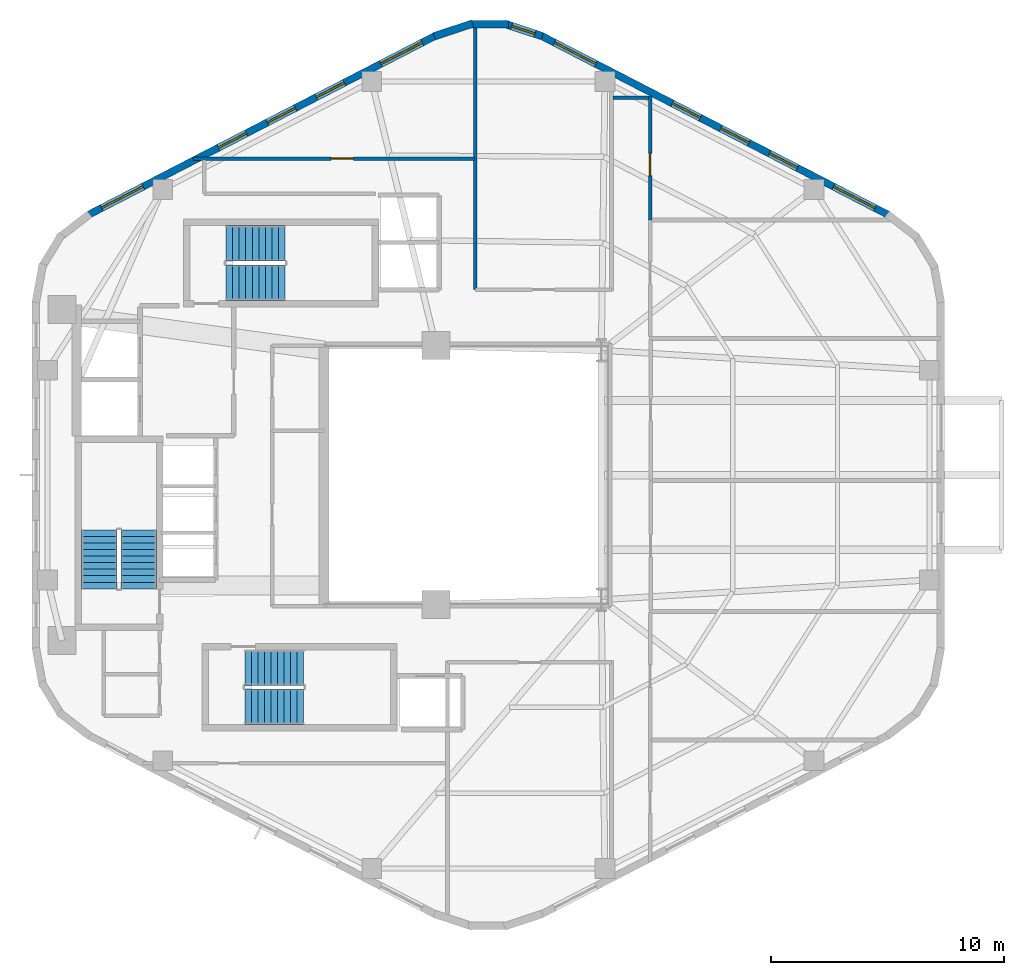
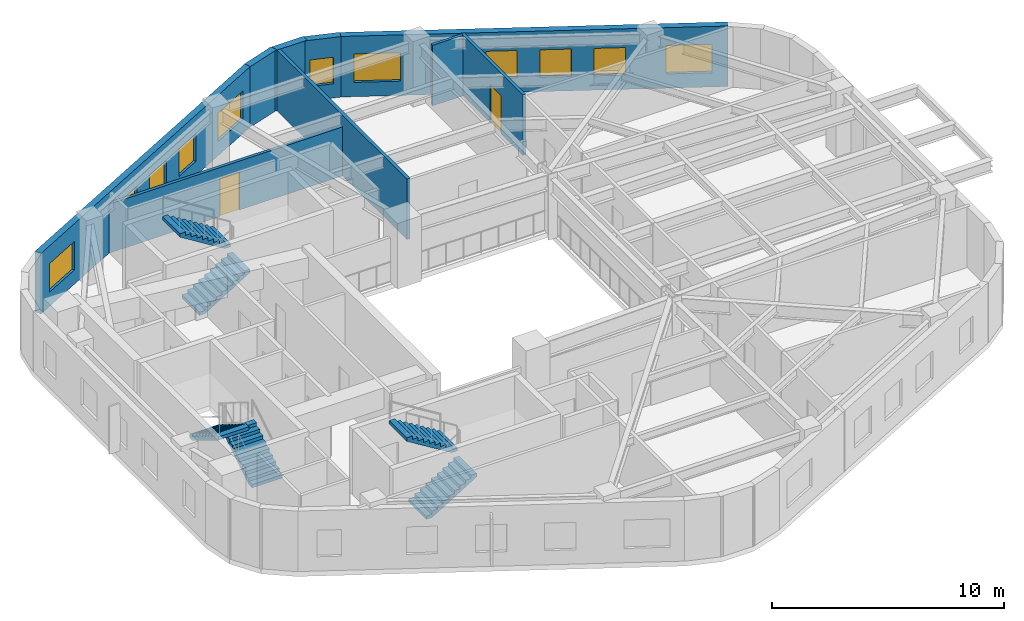
# One storey, part 5 of 6: 11 windows, 9 walls, 6 stair flights, 2 doors, 13 openings, 3 elements without a shape of their own.
"""IFC4 building model written with IfcOpenShell, lengths in metres."""

from ifc_helpers import new_model, si_unit, direction, frame, frame_2d, origin, place, context, subcontext, project, spatial, polyline, rectangle, outline, extrude, material, layer, layer_set, type_object, element, fill, aggregate, save


model = new_model("IFC4")

# Units and contexts
model_context = context("Model", 3, precision=1e-05, world=origin(), true_north=direction((0.0, 1.0)))
body_context = subcontext(model_context, "Body", "Model", "MODEL_VIEW")
ifc_project = project(units=[si_unit("LENGTHUNIT", "METRE"), si_unit("AREAUNIT", "SQUARE_METRE"), si_unit("VOLUMEUNIT", "CUBIC_METRE"), si_unit("PLANEANGLEUNIT", "RADIAN"), si_unit("MASSUNIT", "GRAM", prefix="KILO"), si_unit("THERMODYNAMICTEMPERATUREUNIT", "KELVIN"), si_unit("POWERUNIT", "WATT")], contexts=[model_context])

# Site, building, storey
site_placement = place(None, origin())
site = spatial("IfcSite", under=ifc_project, at=site_placement, CompositionType="ELEMENT")
building_placement = place(site_placement, origin())
building = spatial("IfcBuilding", under=site, at=building_placement, Name="Skarre Station Tower", CompositionType="ELEMENT")
storey_placement = place(building_placement, frame((0.0, 0.0, 210.25)))
storey = spatial("IfcBuildingStorey", under=building, at=storey_placement, Name="L57", CompositionType="ELEMENT", Elevation=210.25)

# Wall, opening, door
ifc_material_1 = material(Name="Acoustic Steel-Stud Gypsum Partition", Category="steel")
ifc_layer_1 = layer(ifc_material_1, 0.14990234375, Name="Acoustic Steel-Stud Gypsum Partition")
ifc_layer_set_1 = layer_set([ifc_layer_1], Name="Acoustic Steel-Stud Gypsum Partition")
wall_type_1 = type_object("IfcWallType", Name="Fire-Rated Corridor Acoustic Partition 150", PredefinedType="PARTITIONING", material=ifc_layer_set_1)
wall_1_placement = place(storey_placement, frame((34.0, 37.580078125, 0.0), z_axis=(0.0, 0.0, 1.0), x_axis=(-1.0, 0.0, 0.0)))
wall_1 = element("IfcWall", 1, at=wall_1_placement, inside=storey, type_object=wall_type_1, Name="L57 Interior Partition WL-PT-L57-NWW1-CW", PredefinedType="PARTITIONING", context=body_context, shape_type="SweptSolid", body=[
    extrude(rectangle(XDim=12.074951171875, YDim=0.14990234375, at=frame_2d((6.03759765625, 0.0))), origin(), (0.0, 0.0, 1.0), 2.58203125),
])
opening_1_placement = place(wall_1_placement, frame((5.195068359375, 0.0, 0.0)))
opening_1 = element("IfcOpeningElement", 2, at=opening_1_placement, cuts=wall_1, Name="Opening DR-FD60", PredefinedType="OPENING", context=body_context, shape_type="SweptSolid", body=[
    extrude(rectangle(XDim=0.9599609375, YDim=2.0, at=frame_2d((0.47998046875, 1.0))), frame((0.0, 0.0849609375, 0.0), z_axis=(0.0, -1.0, 0.0), x_axis=(1.0, 0.0, 0.0)), (0.0, 0.0, 1.0), 0.169921875),
])
ifc_material_2 = material(Name="Nordic White-Oak Veneer Solid-Core Fire Leaf", Category="wood")
door_type = type_object("IfcDoorType", Name="Corridor Suite Entry Fire Door FD60 960x2150", OperationType="SINGLE_SWING_LEFT", PredefinedType="DOOR", material=ifc_material_2)
door_1_placement = place(opening_1_placement, origin())
door_1 = element("IfcDoor", 3, at=door_1_placement, inside=storey, type_object=door_type, Name="L57 NWW1 Entry Door", OperationType="SINGLE_SWING_LEFT", OverallHeight=2.0, OverallWidth=0.9599609375, PredefinedType="DOOR", context=body_context, shape_type="SweptSolid", body=[
    extrude(rectangle(XDim=0.9599609375, YDim=2.0, at=frame_2d((0.47998046875, 1.0))), frame((0.0, 0.02490234375, 0.0), z_axis=(0.0, -1.0, 0.0), x_axis=(1.0, 0.0, 0.0)), (0.0, 0.0, 1.0), 0.050048828125),
])
fill(opening_1, door_1)

wall_2_placement = place(storey_placement, frame((41.5400390625, 40.27490234375, 0.0), z_axis=(0.0, 0.0, 1.0), x_axis=(0.0, -1.0, 0.0)))
wall_2 = element("IfcWall", 4, at=wall_2_placement, inside=storey, type_object=wall_type_1, Name="L57 Interior Partition WL-PT-L57-NW2-CW", PredefinedType="PARTITIONING", context=body_context, shape_type="SweptSolid", body=[
    extrude(rectangle(XDim=5.326904296875, YDim=0.14990234375, at=frame_2d((2.66357421875, 0.0))), origin(), (0.0, 0.0, 1.0), 3.18994140625),
])
opening_2_placement = place(wall_2_placement, frame((2.466064453125, 0.0, 0.0)))
opening_2 = element("IfcOpeningElement", 5, at=opening_2_placement, cuts=wall_2, Name="Opening DR-FD60", PredefinedType="OPENING", context=body_context, shape_type="SweptSolid", body=[
    extrude(rectangle(XDim=0.9599609375, YDim=2.0, at=frame_2d((0.47998046875, 1.0))), frame((0.0, 0.0849609375, 0.0), z_axis=(0.0, -1.0, 0.0), x_axis=(1.0, 0.0, 0.0)), (0.0, 0.0, 1.0), 0.169921875),
])
door_2_placement = place(opening_2_placement, origin())
door_2 = element("IfcDoor", 6, at=door_2_placement, inside=storey, type_object=door_type, Name="L57 NW2 Entry Door", OperationType="SINGLE_SWING_LEFT", OverallHeight=2.0, OverallWidth=0.9599609375, PredefinedType="DOOR", context=body_context, shape_type="SweptSolid", body=[
    extrude(rectangle(XDim=0.9599609375, YDim=2.0, at=frame_2d((0.47998046875, 1.0))), frame((0.0, 0.02490234375, 0.0), z_axis=(0.0, -1.0, 0.0), x_axis=(1.0, 0.0, 0.0)), (0.0, 0.0, 1.0), 0.050048828125),
])
fill(opening_2, door_2)

# Walls
wall_3_placement = place(storey_placement, frame((39.9580078125, 40.199951171875, 0.0), z_axis=(0.0, 0.0, 1.0), x_axis=(1.0, 0.0, 0.0)))
element("IfcWall", 7, at=wall_3_placement, inside=storey, type_object=wall_type_1, Name="L57 Interior Partition WL-PT-L57-CSEAL-3", PredefinedType="PARTITIONING", context=body_context, shape_type="SweptSolid", body=[
    extrude(rectangle(XDim=1.511962890625, YDim=0.14990234375, at=frame_2d((0.755859375, 0.0))), origin(), (0.0, 0.0, 1.0), 3.18994140625),
])
ifc_material_3 = material(Name="Precast concrete C45/55", Category="concrete")
ifc_layer_2 = layer(ifc_material_3, 0.330078125, Name="Precast concrete C45/55")
ifc_layer_set_2 = layer_set([ifc_layer_2], Name="Precast concrete C45/55")
wall_type_2 = type_object("IfcWallType", Name="Nordic Rounded Corner Precast Wall 330", PredefinedType="STANDARD", material=ifc_layer_set_2)
wall_4_placement = place(storey_placement, frame((32.281005859375, 42.83203125, 0.0), z_axis=(0.0, 0.0, 1.0), x_axis=(0.949937416267, 0.312440242569, 0.0)))
element("IfcWall", 8, at=wall_4_placement, inside=storey, type_object=wall_type_2, Name="L57 Rounded Corner Precast Wall F1-1", PredefinedType="STANDARD", context=body_context, shape_type="SweptSolid", body=[
    extrude(rectangle(XDim=1.72216796875, YDim=0.330078125, at=frame_2d((0.861083984375, 0.0))), origin(), (0.0, 0.0, 1.0), 3.18994140625),
])
wall_5_placement = place(storey_placement, frame((33.739013671875, 43.341064453125, 0.0), z_axis=(0.0, 0.0, 1.0), x_axis=(1.0, 0.0, 0.0)))
element("IfcWall", 9, at=wall_5_placement, inside=storey, type_object=wall_type_2, Name="L57 Rounded Corner Precast Wall F1-2", PredefinedType="STANDARD", context=body_context, shape_type="SweptSolid", body=[
    extrude(rectangle(XDim=1.721923828125, YDim=0.330078125, at=frame_2d((0.86083984375, 0.0))), origin(), (0.0, 0.0, 1.0), 3.18994140625),
])

# Wall, opening, window
wall_6_placement = place(storey_placement, frame((35.282958984375, 43.3701171875, 0.0), z_axis=(0.0, 0.0, 1.0), x_axis=(0.949937416267, -0.312440242569, 0.0)))
wall_6 = element("IfcWall", 10, at=wall_6_placement, inside=storey, type_object=wall_type_2, Name="L57 Rounded Corner Precast Wall F1-3", PredefinedType="STANDARD", context=body_context, shape_type="SweptSolid", body=[
    extrude(rectangle(XDim=1.72216796875, YDim=0.330078125, at=frame_2d((0.861083984375, 0.0))), origin(), (0.0, 0.0, 1.0), 3.18994140625),
])
opening_3_placement = place(wall_6_placement, frame((0.3359375, 0.0, 0.75)))
opening_3 = element("IfcOpeningElement", 11, at=opening_3_placement, cuts=wall_6, Name="Opening WN-SLT", PredefinedType="OPENING", context=body_context, shape_type="SweptSolid", body=[
    extrude(rectangle(XDim=1.050048828125, YDim=1.39990234375, at=frame_2d((0.52490234375, 0.699951171875))), frame((0.0, 0.175048828125, 0.0), z_axis=(0.0, -1.0, 0.0), x_axis=(1.0, 0.0, 0.0)), (0.0, 0.0, 1.0), 0.35009765625),
])
ifc_material_4 = material(Name="Low-Iron Triple Glazing with Bronze Anodized Frame", Category="glass")
window_type_1 = type_object("IfcWindowType", Name="Nordic Corner Slot Window 1050x1400", PartitioningType="SINGLE_PANEL", PredefinedType="WINDOW", material=ifc_material_4)
window_1_placement = place(opening_3_placement, origin())
window_1 = element("IfcWindow", 12, at=window_1_placement, inside=storey, type_object=window_type_1, Name="L57 Apex Corner Slot Window F1-3", OverallHeight=1.39990234375, OverallWidth=1.050048828125, PartitioningType="SINGLE_PANEL", PredefinedType="WINDOW", context=body_context, shape_type="SweptSolid", body=[
    extrude(rectangle(XDim=1.050048828125, YDim=1.39990234375, at=frame_2d((0.52490234375, 0.699951171875))), frame((0.0, 0.030029296875, 0.0), z_axis=(0.0, -1.0, 0.0), x_axis=(1.0, 0.0, 0.0)), (0.0, 0.0, 1.0), 0.06005859375),
])
fill(opening_3, window_1)

# Wall, openings, windows
ifc_layer_3 = layer(ifc_material_3, 0.31005859375, Name="Precast concrete C45/55")
ifc_layer_set_3 = layer_set([ifc_layer_3], Name="Precast concrete C45/55")
wall_type_3 = type_object("IfcWallType", Name="Nordic Upper-Zone Precast Facet Wall 310", PredefinedType="STANDARD", material=ifc_layer_set_3)
wall_7_placement = place(storey_placement, frame((36.837890625, 42.87109375, 0.0), z_axis=(0.0, 0.0, 1.0), x_axis=(0.888626188278, -0.458632202867, 0.0)))
wall_7 = element("IfcWall", 13, at=wall_7_placement, inside=storey, type_object=wall_type_3, Name="L57 Facet 0 Nordic Precast Masonry Wall", PredefinedType="STANDARD", context=body_context, shape_type="SweptSolid", body=[
    extrude(rectangle(XDim=16.828369140625, YDim=0.31005859375, at=frame_2d((8.4140625, 0.0))), origin(), (0.0, 0.0, 1.0), 3.18994140625),
])
opening_4_placement = place(wall_7_placement, frame((0.675048828125, 0.0, 0.75)))
opening_4 = element("IfcOpeningElement", 14, at=opening_4_placement, cuts=wall_7, Name="Opening WN-Z3A", PredefinedType="OPENING", context=body_context, shape_type="SweptSolid", body=[
    extrude(rectangle(XDim=2.0, YDim=1.5, at=frame_2d((1.0, 0.75))), frame((0.0, 0.1650390625, 0.0), z_axis=(0.0, -1.0, 0.0), x_axis=(1.0, 0.0, 0.0)), (0.0, 0.0, 1.0), 0.330078125),
])
opening_5_placement = place(wall_7_placement, frame((6.368896484375, 0.0, 0.75)))
opening_5 = element("IfcOpeningElement", 15, at=opening_5_placement, cuts=wall_7, Name="Opening WN-Z3B", PredefinedType="OPENING", context=body_context, shape_type="SweptSolid", body=[
    extrude(rectangle(XDim=1.35009765625, YDim=1.449951171875, at=frame_2d((0.675048828125, 0.72509765625))), frame((0.0, 0.1650390625, 0.0), z_axis=(0.0, -1.0, 0.0), x_axis=(1.0, 0.0, 0.0)), (0.0, 0.0, 1.0), 0.330078125),
])
opening_6_placement = place(wall_7_placement, frame((8.7099609375, 0.0, 0.75)))
opening_6 = element("IfcOpeningElement", 16, at=opening_6_placement, cuts=wall_7, Name="Opening WN-Z3B", PredefinedType="OPENING", context=body_context, shape_type="SweptSolid", body=[
    extrude(rectangle(XDim=1.35009765625, YDim=1.449951171875, at=frame_2d((0.675048828125, 0.72509765625))), frame((0.0, 0.1650390625, 0.0), z_axis=(0.0, -1.0, 0.0), x_axis=(1.0, 0.0, 0.0)), (0.0, 0.0, 1.0), 0.330078125),
])
opening_7_placement = place(wall_7_placement, frame((11.052001953125, 0.0, 0.75)))
opening_7 = element("IfcOpeningElement", 17, at=opening_7_placement, cuts=wall_7, Name="Opening WN-Z3B", PredefinedType="OPENING", context=body_context, shape_type="SweptSolid", body=[
    extrude(rectangle(XDim=1.35009765625, YDim=1.449951171875, at=frame_2d((0.675048828125, 0.72509765625))), frame((0.0, 0.1650390625, 0.0), z_axis=(0.0, -1.0, 0.0), x_axis=(1.0, 0.0, 0.0)), (0.0, 0.0, 1.0), 0.330078125),
])
opening_8_placement = place(wall_7_placement, frame((14.153076171875, 0.0, 0.75)))
opening_8 = element("IfcOpeningElement", 18, at=opening_8_placement, cuts=wall_7, Name="Opening WN-Z3A", PredefinedType="OPENING", context=body_context, shape_type="SweptSolid", body=[
    extrude(rectangle(XDim=2.0, YDim=1.5, at=frame_2d((1.0, 0.75))), frame((0.0, 0.1650390625, 0.0), z_axis=(0.0, -1.0, 0.0), x_axis=(1.0, 0.0, 0.0)), (0.0, 0.0, 1.0), 0.330078125),
])
window_type_2 = type_object("IfcWindowType", Name="Nordic Hospitality Narrow Window 1350x1450", PartitioningType="SINGLE_PANEL", PredefinedType="WINDOW", material=ifc_material_4)
window_2_placement = place(opening_5_placement, origin())
window_2 = element("IfcWindow", 19, at=window_2_placement, inside=storey, type_object=window_type_2, Name="L57 Facade Window WL-FAC-L57-F0-2", OverallHeight=1.449951171875, OverallWidth=1.35009765625, PartitioningType="SINGLE_PANEL", PredefinedType="WINDOW", context=body_context, shape_type="SweptSolid", body=[
    extrude(rectangle(XDim=1.35009765625, YDim=1.449951171875, at=frame_2d((0.675048828125, 0.72509765625))), frame((0.0, 0.030029296875, 0.0), z_axis=(0.0, -1.0, 0.0), x_axis=(1.0, 0.0, 0.0)), (0.0, 0.0, 1.0), 0.06005859375),
])
fill(opening_5, window_2)
window_3_placement = place(opening_6_placement, origin())
window_3 = element("IfcWindow", 20, at=window_3_placement, inside=storey, type_object=window_type_2, Name="L57 Facade Window WL-FAC-L57-F0-3", OverallHeight=1.449951171875, OverallWidth=1.35009765625, PartitioningType="SINGLE_PANEL", PredefinedType="WINDOW", context=body_context, shape_type="SweptSolid", body=[
    extrude(rectangle(XDim=1.35009765625, YDim=1.449951171875, at=frame_2d((0.675048828125, 0.72509765625))), frame((0.0, 0.030029296875, 0.0), z_axis=(0.0, -1.0, 0.0), x_axis=(1.0, 0.0, 0.0)), (0.0, 0.0, 1.0), 0.06005859375),
])
fill(opening_6, window_3)
window_4_placement = place(opening_7_placement, origin())
window_4 = element("IfcWindow", 21, at=window_4_placement, inside=storey, type_object=window_type_2, Name="L57 Facade Window WL-FAC-L57-F0-4", OverallHeight=1.449951171875, OverallWidth=1.35009765625, PartitioningType="SINGLE_PANEL", PredefinedType="WINDOW", context=body_context, shape_type="SweptSolid", body=[
    extrude(rectangle(XDim=1.35009765625, YDim=1.449951171875, at=frame_2d((0.675048828125, 0.72509765625))), frame((0.0, 0.030029296875, 0.0), z_axis=(0.0, -1.0, 0.0), x_axis=(1.0, 0.0, 0.0)), (0.0, 0.0, 1.0), 0.06005859375),
])
fill(opening_7, window_4)
window_type_3 = type_object("IfcWindowType", Name="Nordic Hospitality Window 2000x1500", PartitioningType="SINGLE_PANEL", PredefinedType="WINDOW", material=ifc_material_4)
window_5_placement = place(opening_4_placement, origin())
window_5 = element("IfcWindow", 22, at=window_5_placement, inside=storey, type_object=window_type_3, Name="L57 Facade Window WL-FAC-L57-F0-1", OverallHeight=1.5, OverallWidth=2.0, PartitioningType="SINGLE_PANEL", PredefinedType="WINDOW", context=body_context, shape_type="SweptSolid", body=[
    extrude(rectangle(XDim=2.0, YDim=1.5, at=frame_2d((1.0, 0.75))), frame((0.0, 0.030029296875, 0.0), z_axis=(0.0, -1.0, 0.0), x_axis=(1.0, 0.0, 0.0)), (0.0, 0.0, 1.0), 0.06005859375),
])
fill(opening_4, window_5)
window_6_placement = place(opening_8_placement, origin())
window_6 = element("IfcWindow", 23, at=window_6_placement, inside=storey, type_object=window_type_3, Name="L57 Facade Window WL-FAC-L57-F0-5", OverallHeight=1.5, OverallWidth=2.0, PartitioningType="SINGLE_PANEL", PredefinedType="WINDOW", context=body_context, shape_type="SweptSolid", body=[
    extrude(rectangle(XDim=2.0, YDim=1.5, at=frame_2d((1.0, 0.75))), frame((0.0, 0.030029296875, 0.0), z_axis=(0.0, -1.0, 0.0), x_axis=(1.0, 0.0, 0.0)), (0.0, 0.0, 1.0), 0.06005859375),
])
fill(opening_8, window_6)

wall_8_placement = place(storey_placement, frame((17.407958984375, 35.153076171875, 0.0), z_axis=(0.0, 0.0, 1.0), x_axis=(0.888626188278, 0.458632202867, 0.0)))
wall_8 = element("IfcWall", 24, at=wall_8_placement, inside=storey, type_object=wall_type_3, Name="L57 Facet 1 Nordic Precast Masonry Wall", PredefinedType="STANDARD", context=body_context, shape_type="SweptSolid", body=[
    extrude(rectangle(XDim=16.828369140625, YDim=0.31005859375, at=frame_2d((8.4140625, 0.0))), origin(), (0.0, 0.0, 1.0), 3.18994140625),
])
opening_9_placement = place(wall_8_placement, frame((0.675048828125, 0.0, 0.75)))
opening_9 = element("IfcOpeningElement", 25, at=opening_9_placement, cuts=wall_8, Name="Opening WN-Z3A", PredefinedType="OPENING", context=body_context, shape_type="SweptSolid", body=[
    extrude(rectangle(XDim=2.0, YDim=1.5, at=frame_2d((1.0, 0.75))), frame((0.0, 0.1650390625, 0.0), z_axis=(0.0, -1.0, 0.0), x_axis=(1.0, 0.0, 0.0)), (0.0, 0.0, 1.0), 0.330078125),
])
opening_10_placement = place(wall_8_placement, frame((6.31201171875, 0.0, 0.75)))
opening_10 = element("IfcOpeningElement", 26, at=opening_10_placement, cuts=wall_8, Name="Opening WN-Z3B", PredefinedType="OPENING", context=body_context, shape_type="SweptSolid", body=[
    extrude(rectangle(XDim=1.35009765625, YDim=1.449951171875, at=frame_2d((0.675048828125, 0.72509765625))), frame((0.0, 0.1650390625, 0.0), z_axis=(0.0, -1.0, 0.0), x_axis=(1.0, 0.0, 0.0)), (0.0, 0.0, 1.0), 0.330078125),
])
opening_11_placement = place(wall_8_placement, frame((8.676025390625, 0.0, 0.75)))
opening_11 = element("IfcOpeningElement", 27, at=opening_11_placement, cuts=wall_8, Name="Opening WN-Z3B", PredefinedType="OPENING", context=body_context, shape_type="SweptSolid", body=[
    extrude(rectangle(XDim=1.35009765625, YDim=1.449951171875, at=frame_2d((0.675048828125, 0.72509765625))), frame((0.0, 0.1650390625, 0.0), z_axis=(0.0, -1.0, 0.0), x_axis=(1.0, 0.0, 0.0)), (0.0, 0.0, 1.0), 0.330078125),
])
opening_12_placement = place(wall_8_placement, frame((11.041015625, 0.0, 0.75)))
opening_12 = element("IfcOpeningElement", 28, at=opening_12_placement, cuts=wall_8, Name="Opening WN-Z3B", PredefinedType="OPENING", context=body_context, shape_type="SweptSolid", body=[
    extrude(rectangle(XDim=1.35009765625, YDim=1.449951171875, at=frame_2d((0.675048828125, 0.72509765625))), frame((0.0, 0.1650390625, 0.0), z_axis=(0.0, -1.0, 0.0), x_axis=(1.0, 0.0, 0.0)), (0.0, 0.0, 1.0), 0.330078125),
])
opening_13_placement = place(wall_8_placement, frame((14.153076171875, 0.0, 0.75)))
opening_13 = element("IfcOpeningElement", 29, at=opening_13_placement, cuts=wall_8, Name="Opening WN-Z3A", PredefinedType="OPENING", context=body_context, shape_type="SweptSolid", body=[
    extrude(rectangle(XDim=2.0, YDim=1.5, at=frame_2d((1.0, 0.75))), frame((0.0, 0.1650390625, 0.0), z_axis=(0.0, -1.0, 0.0), x_axis=(1.0, 0.0, 0.0)), (0.0, 0.0, 1.0), 0.330078125),
])
window_7_placement = place(opening_10_placement, origin())
window_7 = element("IfcWindow", 30, at=window_7_placement, inside=storey, type_object=window_type_2, Name="L57 Facade Window WL-FAC-L57-F1-2", OverallHeight=1.449951171875, OverallWidth=1.35009765625, PartitioningType="SINGLE_PANEL", PredefinedType="WINDOW", context=body_context, shape_type="SweptSolid", body=[
    extrude(rectangle(XDim=1.35009765625, YDim=1.449951171875, at=frame_2d((0.675048828125, 0.72509765625))), frame((0.0, 0.030029296875, 0.0), z_axis=(0.0, -1.0, 0.0), x_axis=(1.0, 0.0, 0.0)), (0.0, 0.0, 1.0), 0.06005859375),
])
fill(opening_10, window_7)
window_8_placement = place(opening_11_placement, origin())
window_8 = element("IfcWindow", 31, at=window_8_placement, inside=storey, type_object=window_type_2, Name="L57 Facade Window WL-FAC-L57-F1-3", OverallHeight=1.449951171875, OverallWidth=1.35009765625, PartitioningType="SINGLE_PANEL", PredefinedType="WINDOW", context=body_context, shape_type="SweptSolid", body=[
    extrude(rectangle(XDim=1.35009765625, YDim=1.449951171875, at=frame_2d((0.675048828125, 0.72509765625))), frame((0.0, 0.030029296875, 0.0), z_axis=(0.0, -1.0, 0.0), x_axis=(1.0, 0.0, 0.0)), (0.0, 0.0, 1.0), 0.06005859375),
])
fill(opening_11, window_8)
window_9_placement = place(opening_12_placement, origin())
window_9 = element("IfcWindow", 32, at=window_9_placement, inside=storey, type_object=window_type_2, Name="L57 Facade Window WL-FAC-L57-F1-4", OverallHeight=1.449951171875, OverallWidth=1.35009765625, PartitioningType="SINGLE_PANEL", PredefinedType="WINDOW", context=body_context, shape_type="SweptSolid", body=[
    extrude(rectangle(XDim=1.35009765625, YDim=1.449951171875, at=frame_2d((0.675048828125, 0.72509765625))), frame((0.0, 0.030029296875, 0.0), z_axis=(0.0, -1.0, 0.0), x_axis=(1.0, 0.0, 0.0)), (0.0, 0.0, 1.0), 0.06005859375),
])
fill(opening_12, window_9)
window_10_placement = place(opening_9_placement, origin())
window_10 = element("IfcWindow", 33, at=window_10_placement, inside=storey, type_object=window_type_3, Name="L57 Facade Window WL-FAC-L57-F1-1", OverallHeight=1.5, OverallWidth=2.0, PartitioningType="SINGLE_PANEL", PredefinedType="WINDOW", context=body_context, shape_type="SweptSolid", body=[
    extrude(rectangle(XDim=2.0, YDim=1.5, at=frame_2d((1.0, 0.75))), frame((0.0, 0.030029296875, 0.0), z_axis=(0.0, -1.0, 0.0), x_axis=(1.0, 0.0, 0.0)), (0.0, 0.0, 1.0), 0.06005859375),
])
fill(opening_9, window_10)
window_11_placement = place(opening_13_placement, origin())
window_11 = element("IfcWindow", 34, at=window_11_placement, inside=storey, type_object=window_type_3, Name="L57 Facade Window WL-FAC-L57-F1-5", OverallHeight=1.5, OverallWidth=2.0, PartitioningType="SINGLE_PANEL", PredefinedType="WINDOW", context=body_context, shape_type="SweptSolid", body=[
    extrude(rectangle(XDim=2.0, YDim=1.5, at=frame_2d((1.0, 0.75))), frame((0.0, 0.030029296875, 0.0), z_axis=(0.0, -1.0, 0.0), x_axis=(1.0, 0.0, 0.0)), (0.0, 0.0, 1.0), 0.06005859375),
])
fill(opening_13, window_11)

# Wall
ifc_layer_4 = layer(ifc_material_1, 0.1650390625, Name="Acoustic Steel-Stud Gypsum Partition")
ifc_layer_set_4 = layer_set([ifc_layer_4], Name="Acoustic Steel-Stud Gypsum Partition")
wall_type_4 = type_object("IfcWallType", Name="Suite Demising Acoustic Partition 165", PredefinedType="PARTITIONING", material=ifc_layer_set_4)
wall_9_placement = place(storey_placement, frame((34.0400390625, 31.9599609375, 0.0), z_axis=(0.0, 0.0, 1.0), x_axis=(0.0, 1.0, 0.0)))
element("IfcWall", 35, at=wall_9_placement, inside=storey, type_object=wall_type_4, Name="L57 Interior Partition WL-PT-L57-NW-WBND", PredefinedType="PARTITIONING", context=body_context, shape_type="SweptSolid", body=[
    extrude(rectangle(XDim=11.3759765625, YDim=0.1650390625, at=frame_2d((5.68798828125, 0.0))), origin(), (0.0, 0.0, 1.0), 3.18994140625),
])

# Stair, stair flights
ifc_material_5 = material(Name="Concrete C40/50", Category="concrete")
stair_type_1 = type_object("IfcStairType", Name="Reinforced Concrete Exit Stair ST-1", PredefinedType="HALF_TURN_STAIR", material=ifc_material_5)
stair_1_placement = place(storey_placement, origin())
stair_1 = element("IfcStair", 36, at=stair_1_placement, inside=storey, type_object=stair_type_1, Name="L57 Core Exit Stair ST-1", PredefinedType="HALF_TURN_STAIR")
stair_flight_type_1 = type_object("IfcStairFlightType", Name="Reinforced Concrete Stair Flight ST-1", PredefinedType="STRAIGHT", material=ifc_material_5)
stair_flight_1_placement = place(storey_placement, frame((19.590087890625, 19.1201171875, 0.0), z_axis=(0.0, 0.0, 1.0), x_axis=(0.0, 1.0, 0.0)))
stair_flight_1 = element("IfcStairFlight", 37, at=stair_flight_1_placement, type_object=stair_flight_type_1, Name="ST-1 flight 1", NumberOfRisers=10, NumberOfTreads=9, PredefinedType="STRAIGHT", RiserHeight=0.1725, TreadLength=0.28, context=body_context, shape_type="SweptSolid", body=[
    extrude(outline(polyline([(0.0, 0.0), (0.0, 0.172607421875), (0.280029296875, 0.172607421875), (0.280029296875, 0.344970703125), (0.56005859375, 0.344970703125), (0.56005859375, 0.517578125), (0.840087890625, 0.517578125), (0.840087890625, 0.68994140625), (1.1201171875, 0.68994140625), (1.1201171875, 0.862548828125), (1.39990234375, 0.862548828125), (1.39990234375, 1.034912109375), (1.679931640625, 1.034912109375), (1.679931640625, 1.20751953125), (1.9599609375, 1.20751953125), (1.9599609375, 1.3798828125), (2.239990234375, 1.3798828125), (2.239990234375, 1.552490234375), (2.52001953125, 1.552490234375), (2.52001953125, 1.72509765625), (2.52001953125, 1.37646484375), (0.285888671875, 0.0), (0.0, 0.0)])), frame((0.0, 0.760009765625, 0.0), z_axis=(0.0, -1.0, 0.0), x_axis=(1.0, 0.0, 0.0)), (0.0, 0.0, 1.0), 1.52001953125),
])
stair_flight_2_placement = place(storey_placement, frame((17.909912109375, 21.639892578125, 1.72509765625), z_axis=(0.0, 0.0, 1.0), x_axis=(0.0, -1.0, 0.0)))
stair_flight_2 = element("IfcStairFlight", 38, at=stair_flight_2_placement, type_object=stair_flight_type_1, Name="ST-1 flight 2", NumberOfRisers=10, NumberOfTreads=9, PredefinedType="STRAIGHT", RiserHeight=0.1725, TreadLength=0.28, context=body_context, shape_type="SweptSolid", body=[
    extrude(outline(polyline([(0.0, 0.0), (0.0, 0.172607421875), (0.280029296875, 0.172607421875), (0.280029296875, 0.344970703125), (0.56005859375, 0.344970703125), (0.56005859375, 0.517578125), (0.840087890625, 0.517578125), (0.840087890625, 0.68994140625), (1.1201171875, 0.68994140625), (1.1201171875, 0.862548828125), (1.39990234375, 0.862548828125), (1.39990234375, 1.034912109375), (1.679931640625, 1.034912109375), (1.679931640625, 1.20751953125), (1.9599609375, 1.20751953125), (1.9599609375, 1.3798828125), (2.239990234375, 1.3798828125), (2.239990234375, 1.552490234375), (2.52001953125, 1.552490234375), (2.52001953125, 1.72509765625), (2.52001953125, 1.37646484375), (0.285888671875, 0.0), (0.0, 0.0)])), frame((0.0, 0.760009765625, 0.0), z_axis=(0.0, -1.0, 0.0), x_axis=(1.0, 0.0, 0.0)), (0.0, 0.0, 1.0), 1.52001953125),
])
aggregate(stair_1, [stair_flight_1, stair_flight_2])

stair_type_2 = type_object("IfcStairType", Name="Reinforced Concrete Exit Stair ST-2", PredefinedType="HALF_TURN_STAIR", material=ifc_material_5)
stair_2_placement = place(storey_placement, origin())
stair_2 = element("IfcStair", 39, at=stair_2_placement, inside=storey, type_object=stair_type_2, Name="L57 Core Exit Stair ST-2", PredefinedType="HALF_TURN_STAIR")
stair_flight_type_2 = type_object("IfcStairFlightType", Name="Reinforced Concrete Stair Flight ST-2", PredefinedType="STRAIGHT", material=ifc_material_5)
stair_flight_3_placement = place(storey_placement, frame((24.14990234375, 14.06005859375, 0.0), z_axis=(0.0, 0.0, 1.0), x_axis=(1.0, 0.0, 0.0)))
stair_flight_3 = element("IfcStairFlight", 40, at=stair_flight_3_placement, type_object=stair_flight_type_2, Name="ST-2 flight 1", NumberOfRisers=10, NumberOfTreads=9, PredefinedType="STRAIGHT", RiserHeight=0.1725, TreadLength=0.28, context=body_context, shape_type="SweptSolid", body=[
    extrude(outline(polyline([(0.0, 0.0), (0.0, 0.172607421875), (0.280029296875, 0.172607421875), (0.280029296875, 0.344970703125), (0.56005859375, 0.344970703125), (0.56005859375, 0.517578125), (0.840087890625, 0.517578125), (0.840087890625, 0.68994140625), (1.1201171875, 0.68994140625), (1.1201171875, 0.862548828125), (1.39990234375, 0.862548828125), (1.39990234375, 1.034912109375), (1.679931640625, 1.034912109375), (1.679931640625, 1.20751953125), (1.9599609375, 1.20751953125), (1.9599609375, 1.3798828125), (2.239990234375, 1.3798828125), (2.239990234375, 1.552490234375), (2.52001953125, 1.552490234375), (2.52001953125, 1.72509765625), (2.52001953125, 1.37646484375), (0.285888671875, 0.0), (0.0, 0.0)])), frame((0.0, 0.760009765625, 0.0), z_axis=(0.0, -1.0, 0.0), x_axis=(1.0, 0.0, 0.0)), (0.0, 0.0, 1.0), 1.52001953125),
])
stair_flight_4_placement = place(storey_placement, frame((26.669921875, 15.739990234375, 1.72509765625), z_axis=(0.0, 0.0, 1.0), x_axis=(-1.0, 0.0, 0.0)))
stair_flight_4 = element("IfcStairFlight", 41, at=stair_flight_4_placement, type_object=stair_flight_type_2, Name="ST-2 flight 2", NumberOfRisers=10, NumberOfTreads=9, PredefinedType="STRAIGHT", RiserHeight=0.1725, TreadLength=0.28, context=body_context, shape_type="SweptSolid", body=[
    extrude(outline(polyline([(0.0, 0.0), (0.0, 0.172607421875), (0.280029296875, 0.172607421875), (0.280029296875, 0.344970703125), (0.56005859375, 0.344970703125), (0.56005859375, 0.517578125), (0.840087890625, 0.517578125), (0.840087890625, 0.68994140625), (1.1201171875, 0.68994140625), (1.1201171875, 0.862548828125), (1.39990234375, 0.862548828125), (1.39990234375, 1.034912109375), (1.679931640625, 1.034912109375), (1.679931640625, 1.20751953125), (1.9599609375, 1.20751953125), (1.9599609375, 1.3798828125), (2.239990234375, 1.3798828125), (2.239990234375, 1.552490234375), (2.52001953125, 1.552490234375), (2.52001953125, 1.72509765625), (2.52001953125, 1.37646484375), (0.285888671875, 0.0), (0.0, 0.0)])), frame((0.0, 0.760009765625, 0.0), z_axis=(0.0, -1.0, 0.0), x_axis=(1.0, 0.0, 0.0)), (0.0, 0.0, 1.0), 1.52001953125),
])
aggregate(stair_2, [stair_flight_3, stair_flight_4])

stair_type_3 = type_object("IfcStairType", Name="Reinforced Concrete Exit Stair ST-3", PredefinedType="HALF_TURN_STAIR", material=ifc_material_5)
stair_3_placement = place(storey_placement, origin())
stair_3 = element("IfcStair", 42, at=stair_3_placement, inside=storey, type_object=stair_type_3, Name="L57 Core Exit Stair ST-3", PredefinedType="HALF_TURN_STAIR")
stair_flight_type_3 = type_object("IfcStairFlightType", Name="Reinforced Concrete Stair Flight ST-3", PredefinedType="STRAIGHT", material=ifc_material_5)
stair_flight_5_placement = place(storey_placement, frame((23.35009765625, 32.260009765625, 0.0), z_axis=(0.0, 0.0, 1.0), x_axis=(1.0, 0.0, 0.0)))
stair_flight_5 = element("IfcStairFlight", 43, at=stair_flight_5_placement, type_object=stair_flight_type_3, Name="ST-3 flight 1", NumberOfRisers=10, NumberOfTreads=9, PredefinedType="STRAIGHT", RiserHeight=0.1725, TreadLength=0.28, context=body_context, shape_type="SweptSolid", body=[
    extrude(outline(polyline([(0.0, 0.0), (0.0, 0.172607421875), (0.280029296875, 0.172607421875), (0.280029296875, 0.344970703125), (0.56005859375, 0.344970703125), (0.56005859375, 0.517578125), (0.840087890625, 0.517578125), (0.840087890625, 0.68994140625), (1.1201171875, 0.68994140625), (1.1201171875, 0.862548828125), (1.39990234375, 0.862548828125), (1.39990234375, 1.034912109375), (1.679931640625, 1.034912109375), (1.679931640625, 1.20751953125), (1.9599609375, 1.20751953125), (1.9599609375, 1.3798828125), (2.239990234375, 1.3798828125), (2.239990234375, 1.552490234375), (2.52001953125, 1.552490234375), (2.52001953125, 1.72509765625), (2.52001953125, 1.37646484375), (0.285888671875, 0.0), (0.0, 0.0)])), frame((0.0, 0.760009765625, 0.0), z_axis=(0.0, -1.0, 0.0), x_axis=(1.0, 0.0, 0.0)), (0.0, 0.0, 1.0), 1.52001953125),
])
stair_flight_6_placement = place(storey_placement, frame((25.8701171875, 33.93994140625, 1.72509765625), z_axis=(0.0, 0.0, 1.0), x_axis=(-1.0, 0.0, 0.0)))
stair_flight_6 = element("IfcStairFlight", 44, at=stair_flight_6_placement, type_object=stair_flight_type_3, Name="ST-3 flight 2", NumberOfRisers=10, NumberOfTreads=9, PredefinedType="STRAIGHT", RiserHeight=0.1725, TreadLength=0.28, context=body_context, shape_type="SweptSolid", body=[
    extrude(outline(polyline([(0.0, 0.0), (0.0, 0.172607421875), (0.280029296875, 0.172607421875), (0.280029296875, 0.344970703125), (0.56005859375, 0.344970703125), (0.56005859375, 0.517578125), (0.840087890625, 0.517578125), (0.840087890625, 0.68994140625), (1.1201171875, 0.68994140625), (1.1201171875, 0.862548828125), (1.39990234375, 0.862548828125), (1.39990234375, 1.034912109375), (1.679931640625, 1.034912109375), (1.679931640625, 1.20751953125), (1.9599609375, 1.20751953125), (1.9599609375, 1.3798828125), (2.239990234375, 1.3798828125), (2.239990234375, 1.552490234375), (2.52001953125, 1.552490234375), (2.52001953125, 1.72509765625), (2.52001953125, 1.37646484375), (0.285888671875, 0.0), (0.0, 0.0)])), frame((0.0, 0.760009765625, 0.0), z_axis=(0.0, -1.0, 0.0), x_axis=(1.0, 0.0, 0.0)), (0.0, 0.0, 1.0), 1.52001953125),
])
aggregate(stair_3, [stair_flight_5, stair_flight_6])

save(model, "model.ifc")
